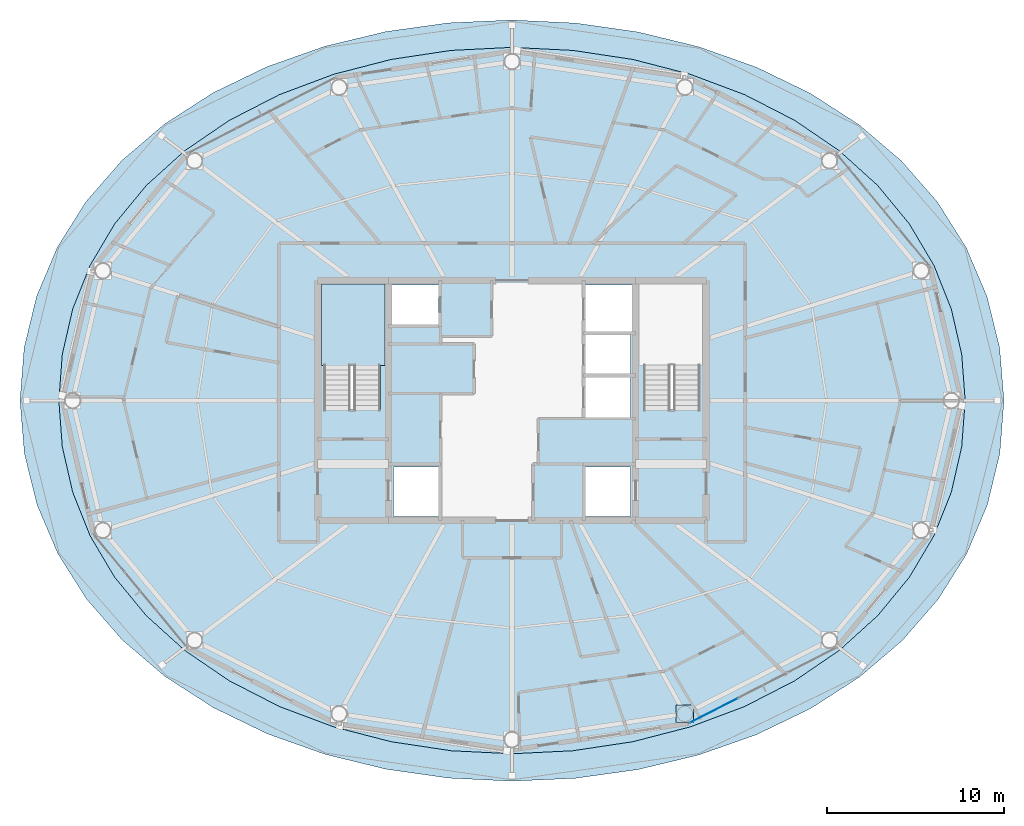
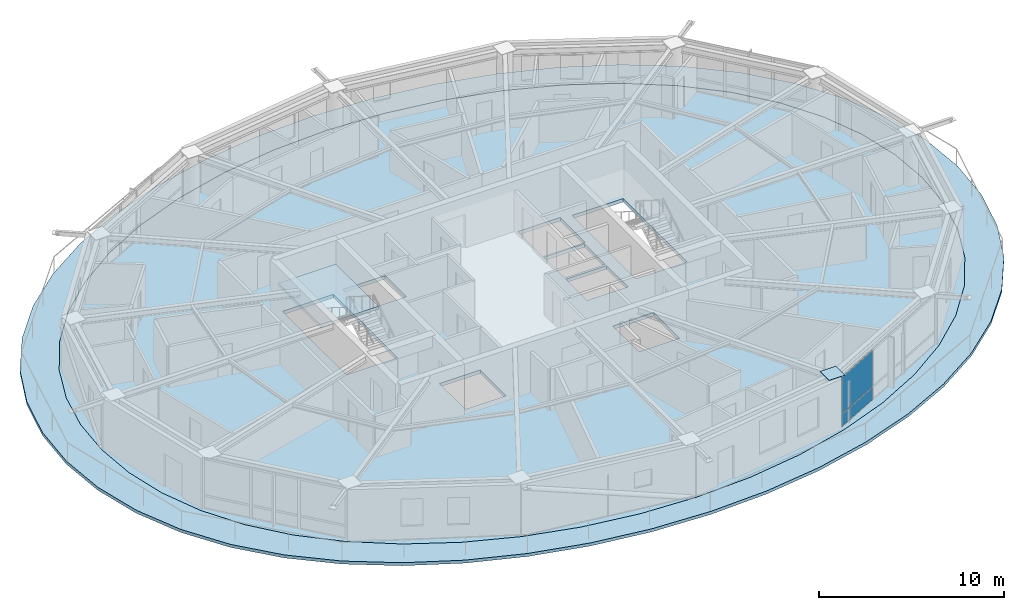
# One storey, part 13 of 23: 3 plates, 3 slabs, 2 elements without a shape of their own.
"""IFC4 building model written with IfcOpenShell, lengths in metres."""

from ifc_helpers import new_model, si_unit, direction, frame, origin, origin_2d, place, context, subcontext, project, spatial, polyline, rectangle, outline, extrude, material, layer, layer_set, type_object, element, aggregate, save


model = new_model("IFC4")

# Units and contexts
model_context = context("Model", 3, precision=1e-05, world=origin(), true_north=direction((0.0, 1.0)))
body_context = subcontext(model_context, "Body", "Model", "MODEL_VIEW")
ifc_project = project(units=[si_unit("LENGTHUNIT", "METRE"), si_unit("AREAUNIT", "SQUARE_METRE"), si_unit("VOLUMEUNIT", "CUBIC_METRE"), si_unit("PLANEANGLEUNIT", "RADIAN"), si_unit("MASSUNIT", "GRAM", prefix="KILO")], contexts=[model_context])

# Site, building, storey
site_placement = place(None, origin())
site = spatial("IfcSite", under=ifc_project, at=site_placement, CompositionType="ELEMENT")
building_placement = place(site_placement, origin())
building = spatial("IfcBuilding", under=site, at=building_placement, Name="Sarneth Arch Tower", CompositionType="ELEMENT")
storey_placement = place(building_placement, frame((0.0, 0.0, 262.199951171875)))
storey = spatial("IfcBuildingStorey", under=building, at=storey_placement, Name="L67", CompositionType="ELEMENT", Elevation=262.199951171875)

# Curtain wall, plates
ifc_material_1 = material(Name="Anodised aluminium Type AA25 and solar-control low-e laminated IGU", Category="aluminium")
ifc_layer_1 = layer(ifc_material_1, 0.179931640625)
ifc_layer_set_1 = layer_set([ifc_layer_1], Name="Anodised aluminium Type AA25 and solar-control low-e laminated IGU")
curtain_wall_type = type_object("IfcCurtainWallType", Name="CW-RES-HIGH", PredefinedType="NOTDEFINED", material=ifc_layer_set_1)
curtain_wall_placement = place(storey_placement, origin())
curtain_wall = element("IfcCurtainWall", 1, at=curtain_wall_placement, inside=storey, type_object=curtain_wall_type, Name="L67 Unitised curtain wall facet 14", PredefinedType="NOTDEFINED")
ifc_material_2 = material(Name="Solar-control low-e laminated IGU", Category="glass")
ifc_layer_2 = layer(ifc_material_2, 0.028076171875)
ifc_layer_set_2 = layer_set([ifc_layer_2], Name="Solar-control low-e laminated IGU")
plate_type_1 = type_object("IfcPlateType", Name="CW-PANEL", PredefinedType="CURTAIN_PANEL", material=ifc_layer_set_2)
plate_1_placement = place(storey_placement, frame((59.4208984375, 24.447021484375, 0.06005859375), z_axis=(0.0, 0.0, 1.0), x_axis=(0.890009540525, 0.455941901753, 0.0)))
plate_1 = element("IfcPlate", 2, at=plate_1_placement, type_object=plate_type_1, Name="Curtain wall glazed vision pane CW-L67-F14/P00-00", PredefinedType="CURTAIN_PANEL", context=body_context, shape_type="SweptSolid", body=[
    extrude(rectangle(XDim=3.044677734375, YDim=0.028076171875, at=origin_2d()), origin(), (0.0, 0.0, 1.0), 0.81005859375),
])
plate_2_placement = place(storey_placement, frame((59.4208984375, 24.447021484375, 0.93017578125), z_axis=(0.0, 0.0, 1.0), x_axis=(0.890009540525, 0.455941901753, 0.0)))
plate_2 = element("IfcPlate", 3, at=plate_2_placement, type_object=plate_type_1, Name="Curtain wall glazed vision pane CW-L67-F14/P00-01", PredefinedType="CURTAIN_PANEL", context=body_context, shape_type="SweptSolid", body=[
    extrude(rectangle(XDim=3.044677734375, YDim=0.028076171875, at=origin_2d()), origin(), (0.0, 0.0, 1.0), 2.3798828125),
])
aggregate(curtain_wall, [plate_1, plate_2])

# Plate
ifc_material_3 = material(Name="Steel S355", Category="steel")
ifc_layer_3 = layer(ifc_material_3, 0.0400390625)
ifc_layer_set_3 = layer_set([ifc_layer_3], Name="Steel S355")
plate_type_2 = type_object("IfcPlateType", Name="PLT-SPLICE-40", PredefinedType="SHEET", material=ifc_layer_set_3)
plate_3_placement = place(storey_placement, frame((57.790771484375, 24.261474609375, 3.35205078125), z_axis=(0.0, 0.0, 1.0), x_axis=(1.0, 0.0, 0.0)))
element("IfcPlate", 4, at=plate_3_placement, inside=storey, type_object=plate_type_2, Name="Steel end cap plate GP-2", PredefinedType="SHEET", context=body_context, shape_type="SweptSolid", body=[
    extrude(rectangle(XDim=0.97998046875, YDim=0.97998046875, at=origin_2d()), origin(), (0.0, 0.0, 1.0), 0.035888671875),
])

# Slab
ifc_material_4 = material(Name="Concrete C50/60", Category="concrete")
ifc_layer_4 = layer(ifc_material_4, 0.199951171875)
ifc_layer_set_4 = layer_set([ifc_layer_4], Name="Concrete C50/60")
slab_type_1 = type_object("IfcSlabType", Name="SLAB-BALC-200", PredefinedType="FLOOR", material=ifc_layer_set_4)
slab_1_placement = place(storey_placement, frame((0.0, 0.0, -0.199951171875)))
element("IfcSlab", 5, at=slab_1_placement, inside=storey, type_object=slab_type_1, Name="L67 Helical balcony band slab", PredefinedType="FLOOR", context=body_context, shape_type="SweptSolid", body=[
    extrude(outline(polyline([(75.860107421875, 42.0), (75.6142578125, 44.994140625), (74.89501953125, 47.9072265625), (73.71630859375, 50.67138671875), (72.09814453125, 53.235107421875), (70.0654296875, 55.561279296875), (67.650390625, 57.622314453125), (64.89599609375, 59.398193359375), (61.8544921875, 60.872314453125), (58.58447265625, 62.03271484375), (55.146728515625, 62.869873046875), (51.600341796875, 63.377197265625), (48.0, 63.55078125), (44.398681640625, 63.388916015625), (40.8486328125, 62.89208984375), (37.406005859375, 62.063232421875), (34.1298828125, 60.908203125), (31.08203125, 59.43603515625), (28.322265625, 57.65869140625), (25.904052734375, 55.592529296875), (23.870849609375, 53.25927734375), (22.255615234375, 50.68701171875), (21.083740234375, 47.9150390625), (20.3740234375, 44.996337890625), (20.139892578125, 42.0), (20.3857421875, 39.005859375), (21.10498046875, 36.0927734375), (22.28369140625, 33.32861328125), (23.90185546875, 30.764892578125), (25.9345703125, 28.438720703125), (28.349609375, 26.377685546875), (31.10400390625, 24.601806640625), (34.1455078125, 23.127685546875), (37.41552734375, 21.96728515625), (40.853271484375, 21.130126953125), (44.399658203125, 20.622802734375), (48.0, 20.44921875), (51.601318359375, 20.611083984375), (55.1513671875, 21.10791015625), (58.593994140625, 21.936767578125), (61.8701171875, 23.091796875), (64.91796875, 24.56396484375), (67.677734375, 26.34130859375), (70.095947265625, 28.407470703125), (72.129150390625, 30.74072265625), (73.744384765625, 33.31298828125), (74.916259765625, 36.0849609375), (75.6259765625, 39.003662109375), (75.860107421875, 42.0)]), holes=[polyline([(73.660888671875, 42.0), (73.466064453125, 44.610595703125), (72.87890625, 47.17626953125), (71.892822265625, 49.653564453125), (70.5029296875, 52.0), (68.712158203125, 54.17529296875), (66.536865234375, 56.14208984375), (64.009521484375, 57.8671875), (61.177001953125, 59.320556640625), (58.0966796875, 60.4775390625), (54.83203125, 61.318603515625), (51.44580078125, 61.828857421875), (48.0, 62.0), (44.55419921875, 61.828857421875), (41.16796875, 61.318603515625), (37.9033203125, 60.4775390625), (34.822998046875, 59.320556640625), (31.990478515625, 57.8671875), (29.463134765625, 56.14208984375), (27.287841796875, 54.17529296875), (25.4970703125, 52.0), (24.107177734375, 49.653564453125), (23.12109375, 47.17626953125), (22.533935546875, 44.610595703125), (22.339111328125, 42.0), (22.533935546875, 39.389404296875), (23.12109375, 36.82373046875), (24.107177734375, 34.346435546875), (25.4970703125, 32.0), (27.287841796875, 29.82470703125), (29.463134765625, 27.85791015625), (31.990478515625, 26.1328125), (34.822998046875, 24.679443359375), (37.9033203125, 23.5224609375), (41.16796875, 22.681396484375), (44.55419921875, 22.171142578125), (48.0, 22.0), (51.44580078125, 22.171142578125), (54.83203125, 22.681396484375), (58.0966796875, 23.5224609375), (61.177001953125, 24.679443359375), (64.009521484375, 26.1328125), (66.536865234375, 27.85791015625), (68.712158203125, 29.82470703125), (70.5029296875, 32.0), (71.892822265625, 34.346435546875), (72.87890625, 36.82373046875), (73.466064453125, 39.389404296875), (73.660888671875, 42.0)])]), origin(), (0.0, 0.0, 1.0), 0.199951171875),
])

# Stair, slab
ifc_material_5 = material(Name="Concrete C50/60", Category="concrete")
stair_type = type_object("IfcStairType", Name="STAIR-CORE-RC", PredefinedType="HALF_TURN_STAIR", material=ifc_material_5)
stair_placement = place(storey_placement, origin())
stair = element("IfcStair", 6, at=stair_placement, inside=storey, type_object=stair_type, Name="L67 Core Exit Stair 1", PredefinedType="HALF_TURN_STAIR")
ifc_material_6 = material(Name="Concrete C50/60", Category="concrete")
ifc_layer_5 = layer(ifc_material_6, 0.199951171875)
ifc_layer_set_5 = layer_set([ifc_layer_5], Name="Concrete C50/60")
slab_type_2 = type_object("IfcSlabType", Name="SLAB-LANDING-200", PredefinedType="LANDING", material=ifc_layer_set_5)
slab_2_placement = place(storey_placement, frame((0.0, 0.0, 1.60009765625)))
slab_2 = element("IfcSlab", 7, at=slab_2_placement, type_object=slab_type_2, Name="ST-1 landing 1", PredefinedType="LANDING", context=body_context, shape_type="SweptSolid", body=[
    extrude(outline(polyline([(37.199951171875, 43.985107421875), (40.800048828125, 43.985107421875), (40.800048828125, 48.60009765625), (37.199951171875, 48.60009765625), (37.199951171875, 43.985107421875)])), origin(), (0.0, 0.0, 1.0), 0.199951171875),
])
aggregate(stair, [slab_2])

# Slab
ifc_material_7 = material(Name="Concrete C50/60", Category="concrete")
ifc_layer_6 = layer(ifc_material_7, 0.22998046875)
ifc_layer_set_6 = layer_set([ifc_layer_6], Name="Concrete C50/60")
slab_type_3 = type_object("IfcSlabType", Name="SLAB-TOWER-230", PredefinedType="FLOOR", material=ifc_layer_set_6)
slab_3_placement = place(storey_placement, frame((0.0, 0.0, -0.22998046875)))
element("IfcSlab", 8, at=slab_3_placement, inside=storey, type_object=slab_type_3, Name="L67 Elliptical floor slab", PredefinedType="FLOOR", context=body_context, shape_type="SweptSolid", body=[
    extrude(outline(polyline([(73.660888671875, 42.0), (73.466064453125, 44.610595703125), (72.87890625, 47.17626953125), (71.892822265625, 49.653564453125), (70.5029296875, 52.0), (68.712158203125, 54.17529296875), (66.536865234375, 56.14208984375), (64.009521484375, 57.8671875), (61.177001953125, 59.320556640625), (58.0966796875, 60.4775390625), (54.83203125, 61.318603515625), (51.44580078125, 61.828857421875), (48.0, 62.0), (44.55419921875, 61.828857421875), (41.16796875, 61.318603515625), (37.9033203125, 60.4775390625), (34.822998046875, 59.320556640625), (31.990478515625, 57.8671875), (29.463134765625, 56.14208984375), (27.287841796875, 54.17529296875), (25.4970703125, 52.0), (24.107177734375, 49.653564453125), (23.12109375, 47.17626953125), (22.533935546875, 44.610595703125), (22.339111328125, 42.0), (22.533935546875, 39.389404296875), (23.12109375, 36.82373046875), (24.107177734375, 34.346435546875), (25.4970703125, 32.0), (27.287841796875, 29.82470703125), (29.463134765625, 27.85791015625), (31.990478515625, 26.1328125), (34.822998046875, 24.679443359375), (37.9033203125, 23.5224609375), (41.16796875, 22.681396484375), (44.55419921875, 22.171142578125), (48.0, 22.0), (51.44580078125, 22.171142578125), (54.83203125, 22.681396484375), (58.0966796875, 23.5224609375), (61.177001953125, 24.679443359375), (64.009521484375, 26.1328125), (66.536865234375, 27.85791015625), (68.712158203125, 29.82470703125), (70.5029296875, 32.0), (71.892822265625, 34.346435546875), (72.87890625, 36.82373046875), (73.466064453125, 39.389404296875), (73.660888671875, 42.0)]), holes=[polyline([(37.35009765625, 41.489990234375), (40.550048828125, 41.489990234375), (40.550048828125, 48.39990234375), (37.35009765625, 48.39990234375), (37.35009765625, 41.489990234375)]), polyline([(55.449951171875, 41.489990234375), (58.64990234375, 41.489990234375), (58.64990234375, 48.39990234375), (55.449951171875, 48.39990234375), (55.449951171875, 41.489990234375)]), polyline([(41.199951171875, 46.25), (43.85009765625, 46.25), (43.85009765625, 48.550048828125), (41.199951171875, 48.550048828125), (41.199951171875, 46.25)]), polyline([(41.300048828125, 35.449951171875), (43.85009765625, 35.449951171875), (43.85009765625, 38.25), (41.300048828125, 38.25), (41.300048828125, 35.449951171875)]), polyline([(52.14990234375, 35.449951171875), (54.699951171875, 35.449951171875), (54.699951171875, 38.25), (52.14990234375, 38.25), (52.14990234375, 35.449951171875)]), polyline([(52.14990234375, 45.85009765625), (54.800048828125, 45.85009765625), (54.800048828125, 48.550048828125), (52.14990234375, 48.550048828125), (52.14990234375, 45.85009765625)]), polyline([(52.14990234375, 41.050048828125), (54.699951171875, 41.050048828125), (54.699951171875, 43.35009765625), (52.14990234375, 43.35009765625), (52.14990234375, 41.050048828125)]), polyline([(52.14990234375, 43.5), (54.699951171875, 43.5), (54.699951171875, 45.75), (52.14990234375, 45.75), (52.14990234375, 43.5)])]), origin(), (0.0, 0.0, 1.0), 0.22998046875),
])

save(model, "model.ifc")
